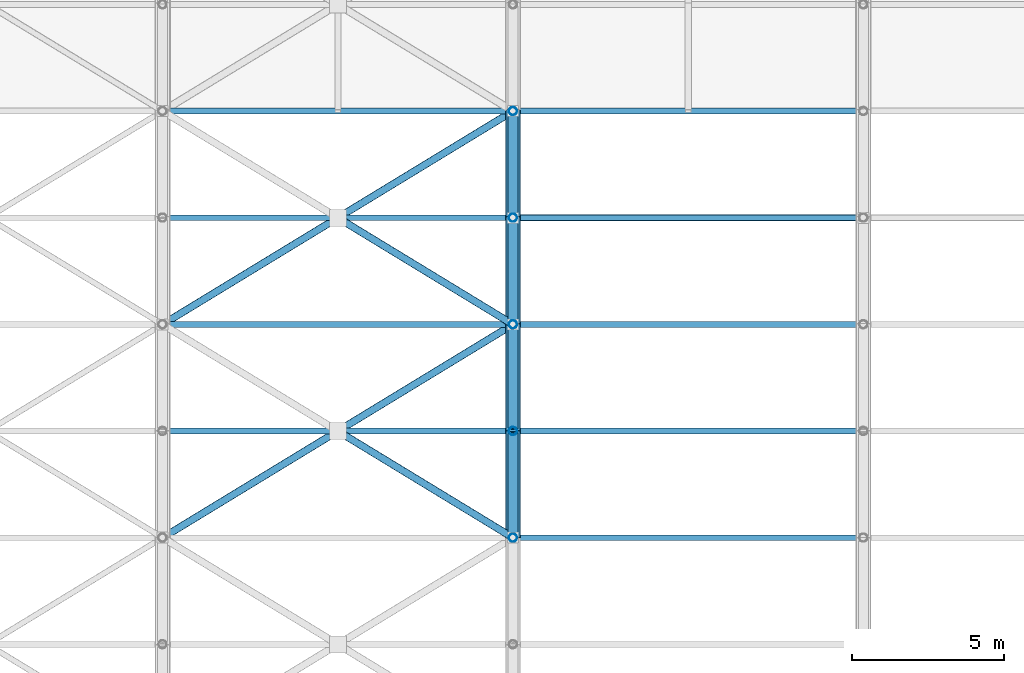
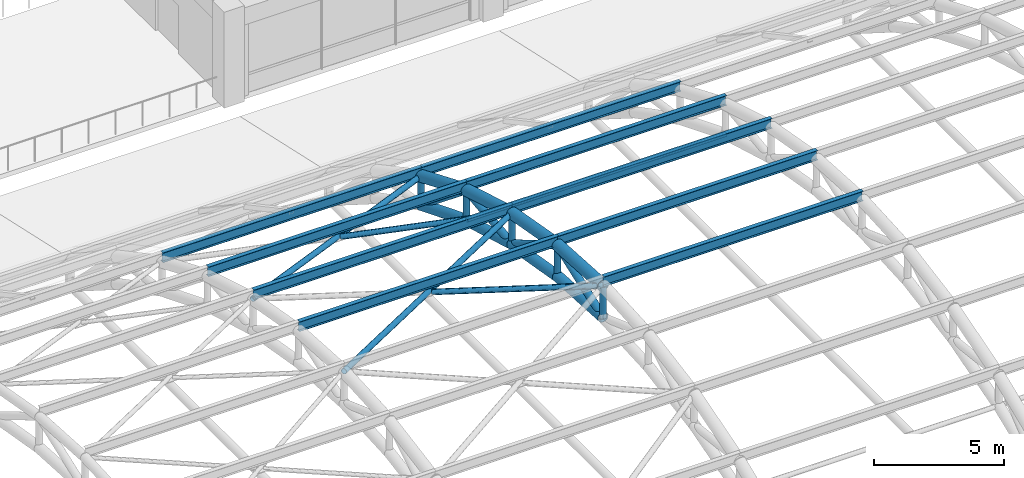
# One storey, part 18 of 154: 31 members.
"""IFC4 building model written with IfcOpenShell, lengths in metres."""

from ifc_helpers import new_model, si_unit, direction, frame, origin, origin_2d, place, context, subcontext, project, spatial, hollow_circle, i_section, extrude, material, material_profile, profile_set, type_object, element, save


model = new_model("IFC4")

# Units and contexts
model_context = context("Model", 3, precision=1e-05, world=origin(), true_north=direction((0.0, 1.0)))
body_context = subcontext(model_context, "Body", "Model", "MODEL_VIEW")
ifc_project = project(units=[si_unit("LENGTHUNIT", "METRE"), si_unit("AREAUNIT", "SQUARE_METRE"), si_unit("VOLUMEUNIT", "CUBIC_METRE"), si_unit("PLANEANGLEUNIT", "RADIAN"), si_unit("MASSUNIT", "GRAM", prefix="KILO")], contexts=[model_context])

# Site, building, storey
site_placement = place(None, origin())
site = spatial("IfcSite", under=ifc_project, at=site_placement, CompositionType="ELEMENT")
building_placement = place(site_placement, origin())
building = spatial("IfcBuilding", under=site, at=building_placement, Name="Ologun Quay Terminus", CompositionType="ELEMENT")
storey_placement = place(building_placement, frame((0.0, 0.0, 13.800048828125)))
storey = spatial("IfcBuildingStorey", under=building, at=storey_placement, Name="L03", CompositionType="ELEMENT", Elevation=13.800048828125)

# Members
ifc_material_1 = material(Name="Steel S355", Category="steel")
ifc_material_profile_1 = material_profile(ifc_material_1, hollow_circle(Radius=0.136474609375, WallThickness=0.010009765625, at=origin_2d()), Name="CHS 273x10")
ifc_profile_set_1 = profile_set([ifc_material_profile_1], Name="Steel S355")
member_type_1 = type_object("IfcMemberType", Name="Arch Truss Vertical Post CHS273", PredefinedType="STRUT", material=ifc_profile_set_1)
member_1_placement = place(storey_placement, frame((23.0, 57.0, 7.239990234375), z_axis=(0.0, 0.0, 1.0), x_axis=(1.0, 0.0, 0.0)))
element("IfcMember", 1, at=member_1_placement, inside=storey, type_object=member_type_1, Name="AW2 Arch Web Post 3-N6", PredefinedType="STRUT", context=body_context, shape_type="SweptSolid", body=[
    extrude(hollow_circle(Radius=0.136474609375, WallThickness=0.010009765625, at=origin_2d()), origin(), (0.0, 0.0, 1.0), 1.47998046875),
])
member_2_placement = place(storey_placement, frame((23.0, 60.5, 7.038818359375), z_axis=(0.0, 0.0, 1.0), x_axis=(1.0, 0.0, 0.0)))
element("IfcMember", 2, at=member_2_placement, inside=storey, type_object=member_type_1, Name="AW2 Arch Web Post 3-N7", PredefinedType="STRUT", context=body_context, shape_type="SweptSolid", body=[
    extrude(hollow_circle(Radius=0.136474609375, WallThickness=0.010009765625, at=origin_2d()), origin(), (0.0, 0.0, 1.0), 1.47216796875),
])
member_3_placement = place(storey_placement, frame((23.0, 64.0, 6.435546875), z_axis=(0.0, 0.0, 1.0), x_axis=(1.0, 0.0, 0.0)))
element("IfcMember", 3, at=member_3_placement, inside=storey, type_object=member_type_1, Name="AW2 Arch Web Post 3-N8", PredefinedType="STRUT", context=body_context, shape_type="SweptSolid", body=[
    extrude(hollow_circle(Radius=0.136474609375, WallThickness=0.010009765625, at=origin_2d()), origin(), (0.0, 0.0, 1.0), 1.44873046875),
])
member_4_placement = place(storey_placement, frame((23.0, 67.5, 5.429931640625), z_axis=(0.0, 0.0, 1.0), x_axis=(1.0, 0.0, 0.0)))
element("IfcMember", 4, at=member_4_placement, inside=storey, type_object=member_type_1, Name="AW2 Arch Web Post 3-N9", PredefinedType="STRUT", context=body_context, shape_type="SweptSolid", body=[
    extrude(hollow_circle(Radius=0.136474609375, WallThickness=0.010009765625, at=origin_2d()), origin(), (0.0, 0.0, 1.0), 1.409912109375),
])
member_5_placement = place(storey_placement, frame((23.0, 71.0, 4.022216796875), z_axis=(0.0, 0.0, 1.0), x_axis=(1.0, 0.0, 0.0)))
element("IfcMember", 5, at=member_5_placement, inside=storey, type_object=member_type_1, Name="AW2 Arch Web Post 3-N10", PredefinedType="STRUT", context=body_context, shape_type="SweptSolid", body=[
    extrude(hollow_circle(Radius=0.136474609375, WallThickness=0.010009765625, at=origin_2d()), origin(), (0.0, 0.0, 1.0), 1.35546875),
])
ifc_material_2 = material(Name="Steel S355", Category="steel")
ifc_material_profile_2 = material_profile(ifc_material_2, hollow_circle(Radius=0.161865234375, WallThickness=0.010009765625, at=origin_2d()), Name="CHS 323.9x10")
ifc_profile_set_2 = profile_set([ifc_material_profile_2], Name="Steel S355")
member_type_2 = type_object("IfcMemberType", Name="Arch Truss Web Diagonal CHS323", PredefinedType="BRACE", material=ifc_profile_set_2)
member_6_placement = place(storey_placement, frame((23.0, 57.0, 7.239990234375), z_axis=(0.0, 0.939942650142, 0.34133241048), x_axis=(-1.0, 0.0, 0.0)))
element("IfcMember", 6, at=member_6_placement, inside=storey, type_object=member_type_2, Name="AW1 Arch Web Diagonal 3-P7", PredefinedType="BRACE", context=body_context, shape_type="SweptSolid", body=[
    extrude(hollow_circle(Radius=0.161865234375, WallThickness=0.010009765625, at=origin_2d()), origin(), (0.0, 0.0, 1.0), 3.7236328125),
])
member_7_placement = place(storey_placement, frame((23.0, 60.5, 8.510986328125), z_axis=(0.0, 0.860144332958, -0.510050709715), x_axis=(-1.0, 0.0, 0.0)))
element("IfcMember", 7, at=member_7_placement, inside=storey, type_object=member_type_2, Name="AW1 Arch Web Diagonal 3-P8", PredefinedType="BRACE", context=body_context, shape_type="SweptSolid", body=[
    extrude(hollow_circle(Radius=0.161865234375, WallThickness=0.010009765625, at=origin_2d()), origin(), (0.0, 0.0, 1.0), 4.069091796875),
])
member_8_placement = place(storey_placement, frame((23.0, 64.0, 6.435546875), z_axis=(0.0, 0.993394361, 0.114750353084), x_axis=(-1.0, 0.0, 0.0)))
element("IfcMember", 8, at=member_8_placement, inside=storey, type_object=member_type_2, Name="AW1 Arch Web Diagonal 3-P9", PredefinedType="BRACE", context=body_context, shape_type="SweptSolid", body=[
    extrude(hollow_circle(Radius=0.161865234375, WallThickness=0.010009765625, at=origin_2d()), origin(), (0.0, 0.0, 1.0), 3.523193359375),
])
member_9_placement = place(storey_placement, frame((23.0, 67.5, 6.83984375), z_axis=(0.0, 0.77895148125, -0.627084196785), x_axis=(-1.0, 0.0, 0.0)))
element("IfcMember", 9, at=member_9_placement, inside=storey, type_object=member_type_2, Name="AW1 Arch Web Diagonal 3-P10", PredefinedType="BRACE", context=body_context, shape_type="SweptSolid", body=[
    extrude(hollow_circle(Radius=0.161865234375, WallThickness=0.010009765625, at=origin_2d()), origin(), (0.0, 0.0, 1.0), 4.4931640625),
])
ifc_material_3 = material(Name="Steel S355", Category="steel")
ifc_material_profile_3 = material_profile(ifc_material_3, hollow_circle(Radius=0.228515625, WallThickness=0.01611328125, at=origin_2d()), Name="CHS 457x16")
ifc_profile_set_3 = profile_set([ifc_material_profile_3], Name="Steel S355")
member_type_3 = type_object("IfcMemberType", Name="Parabolic Arch Bottom Chord CHS457", PredefinedType="CHORD", material=ifc_profile_set_3)
member_10_placement = place(storey_placement, frame((23.0, 57.0, 7.239990234375), z_axis=(0.0, 0.998352239869, -0.057382969144), x_axis=(-1.0, 0.0, 0.0)))
element("IfcMember", 10, at=member_10_placement, inside=storey, type_object=member_type_3, Name="AC2 Arch Bottom Chord 3-P7", PredefinedType="CHORD", context=body_context, shape_type="SweptSolid", body=[
    extrude(hollow_circle(Radius=0.228515625, WallThickness=0.01611328125, at=origin_2d()), origin(), (0.0, 0.0, 1.0), 3.505859375),
])
member_11_placement = place(storey_placement, frame((23.0, 60.5, 7.038818359375), z_axis=(0.0, 0.985468449185, -0.16985857547), x_axis=(-1.0, 0.0, 0.0)))
element("IfcMember", 11, at=member_11_placement, inside=storey, type_object=member_type_3, Name="AC2 Arch Bottom Chord 3-P8", PredefinedType="CHORD", context=body_context, shape_type="SweptSolid", body=[
    extrude(hollow_circle(Radius=0.228515625, WallThickness=0.01611328125, at=origin_2d()), origin(), (0.0, 0.0, 1.0), 3.551513671875),
])
member_12_placement = place(storey_placement, frame((23.0, 64.0, 6.435546875), z_axis=(0.0, 0.961115578425, -0.276146419331), x_axis=(-1.0, 0.0, 0.0)))
element("IfcMember", 12, at=member_12_placement, inside=storey, type_object=member_type_3, Name="AC2 Arch Bottom Chord 3-P9", PredefinedType="CHORD", context=body_context, shape_type="SweptSolid", body=[
    extrude(hollow_circle(Radius=0.228515625, WallThickness=0.01611328125, at=origin_2d()), origin(), (0.0, 0.0, 1.0), 3.6416015625),
])
member_13_placement = place(storey_placement, frame((23.0, 67.5, 5.429931640625), z_axis=(0.0, 0.92776983497, -0.373152962363), x_axis=(-1.0, 0.0, 0.0)))
element("IfcMember", 13, at=member_13_placement, inside=storey, type_object=member_type_3, Name="AC2 Arch Bottom Chord 3-P10", PredefinedType="CHORD", context=body_context, shape_type="SweptSolid", body=[
    extrude(hollow_circle(Radius=0.228515625, WallThickness=0.01611328125, at=origin_2d()), origin(), (0.0, 0.0, 1.0), 3.7724609375),
])
ifc_material_4 = material(Name="Steel S355", Category="steel")
ifc_material_profile_4 = material_profile(ifc_material_4, hollow_circle(Radius=0.25390625, WallThickness=0.01611328125, at=origin_2d()), Name="CHS 508x16")
ifc_profile_set_4 = profile_set([ifc_material_profile_4], Name="Steel S355")
member_type_4 = type_object("IfcMemberType", Name="Parabolic Arch Top Chord CHS508", PredefinedType="CHORD", material=ifc_profile_set_4)
member_14_placement = place(storey_placement, frame((23.0, 57.0, 8.719970703125), z_axis=(0.0, 0.998222121157, -0.0596036646), x_axis=(-1.0, 0.0, 0.0)))
element("IfcMember", 14, at=member_14_placement, inside=storey, type_object=member_type_4, Name="Arch Top Chord 3-P7", PredefinedType="CHORD", context=body_context, shape_type="SweptSolid", body=[
    extrude(hollow_circle(Radius=0.25390625, WallThickness=0.01611328125, at=origin_2d()), origin(), (0.0, 0.0, 1.0), 3.50634765625),
])
member_15_placement = place(storey_placement, frame((23.0, 60.5, 8.510986328125), z_axis=(0.0, 0.984344289591, -0.176256402859), x_axis=(-1.0, 0.0, 0.0)))
element("IfcMember", 15, at=member_15_placement, inside=storey, type_object=member_type_4, Name="Arch Top Chord 3-P8", PredefinedType="CHORD", context=body_context, shape_type="SweptSolid", body=[
    extrude(hollow_circle(Radius=0.25390625, WallThickness=0.01611328125, at=origin_2d()), origin(), (0.0, 0.0, 1.0), 3.5556640625),
])
member_16_placement = place(storey_placement, frame((23.0, 64.0, 7.88427734375), z_axis=(0.0, 0.958244712677, -0.285949419701), x_axis=(-1.0, 0.0, 0.0)))
element("IfcMember", 16, at=member_16_placement, inside=storey, type_object=member_type_4, Name="Arch Top Chord 3-P9", PredefinedType="CHORD", context=body_context, shape_type="SweptSolid", body=[
    extrude(hollow_circle(Radius=0.25390625, WallThickness=0.01611328125, at=origin_2d()), origin(), (0.0, 0.0, 1.0), 3.652587890625),
])
member_17_placement = place(storey_placement, frame((23.0, 67.5, 6.83984375), z_axis=(0.0, 0.922718523726, -0.385474416755), x_axis=(-1.0, 0.0, 0.0)))
element("IfcMember", 17, at=member_17_placement, inside=storey, type_object=member_type_4, Name="Arch Top Chord 3-P10", PredefinedType="CHORD", context=body_context, shape_type="SweptSolid", body=[
    extrude(hollow_circle(Radius=0.25390625, WallThickness=0.01611328125, at=origin_2d()), origin(), (0.0, 0.0, 1.0), 3.793212890625),
])
ifc_material_5 = material(Name="Steel S355", Category="steel")
ifc_material_profile_5 = material_profile(ifc_material_5, hollow_circle(Radius=0.109619140625, WallThickness=0.008056640625, at=origin_2d()), Name="CHS 219.1x8")
ifc_profile_set_5 = profile_set([ifc_material_profile_5], Name="Steel S355")
member_type_5 = type_object("IfcMemberType", Name="Roof Plan Wind Brace Collector CHS219", PredefinedType="STRUT", material=ifc_profile_set_5)
member_18_placement = place(storey_placement, frame((23.0, 67.5, 5.429931640625), z_axis=(1.0, 0.0, 0.0), x_axis=(0.0, 1.0, 0.0)))
element("IfcMember", 18, at=member_18_placement, inside=storey, type_object=member_type_5, Name="WB2 Collector Strut B3-K9", PredefinedType="STRUT", context=body_context, shape_type="SweptSolid", body=[
    extrude(hollow_circle(Radius=0.109619140625, WallThickness=0.008056640625, at=origin_2d()), origin(), (0.0, 0.0, 1.0), 11.5),
])
ifc_material_6 = material(Name="Steel S355", Category="steel")
ifc_material_profile_6 = material_profile(ifc_material_6, hollow_circle(Radius=0.122314453125, WallThickness=0.008056640625, at=origin_2d()), Name="CHS 244.5x8")
ifc_profile_set_6 = profile_set([ifc_material_profile_6], Name="Steel S355")
member_type_6 = type_object("IfcMemberType", Name="Roof Plan Wind Brace Primary CHS244", PredefinedType="BRACE", material=ifc_profile_set_6)
member_19_placement = place(storey_placement, frame((11.5, 57.0, 8.719970703125), z_axis=(0.852557618704, 0.518948115733, -0.061954499168), x_axis=(-0.519946946896, 0.854198555614, 0.0)))
element("IfcMember", 19, at=member_19_placement, inside=storey, type_object=member_type_6, Name="Roof Wind Brace A B2-K6", PredefinedType="BRACE", context=body_context, shape_type="SweptSolid", body=[
    extrude(hollow_circle(Radius=0.122314453125, WallThickness=0.008056640625, at=origin_2d()), origin(), (0.0, 0.0, 1.0), 13.48876953125),
])
member_20_placement = place(storey_placement, frame((17.369384765625, 60.42724609375, 8.310791015625), z_axis=(0.852563238847, -0.518938678703, 0.061956206405), x_axis=(0.51993754691, 0.854204277274, 0.0)))
element("IfcMember", 20, at=member_20_placement, inside=storey, type_object=member_type_6, Name="Roof Wind Brace B2 B2-K6", PredefinedType="BRACE", context=body_context, shape_type="SweptSolid", body=[
    extrude(hollow_circle(Radius=0.122314453125, WallThickness=0.008056640625, at=origin_2d()), origin(), (0.0, 0.0, 1.0), 6.604248046875),
])
member_21_placement = place(storey_placement, frame((11.5, 64.0, 7.88427734375), z_axis=(0.83976735311, 0.511162736676, -0.18303947466), x_axis=(-0.519946946896, 0.854198555614, 0.0)))
element("IfcMember", 21, at=member_21_placement, inside=storey, type_object=member_type_6, Name="Roof Wind Brace A B2-K8", PredefinedType="BRACE", context=body_context, shape_type="SweptSolid", body=[
    extrude(hollow_circle(Radius=0.122314453125, WallThickness=0.008056640625, at=origin_2d()), origin(), (0.0, 0.0, 1.0), 13.6943359375),
])
member_22_placement = place(storey_placement, frame((17.36767578125, 67.428466796875, 6.65673828125), z_axis=(0.839763706767, -0.511174760907, 0.183022623217), x_axis=(0.519957518446, 0.854192120668, 0.0)))
element("IfcMember", 22, at=member_22_placement, inside=storey, type_object=member_type_6, Name="Roof Wind Brace B2 B2-K8", PredefinedType="BRACE", context=body_context, shape_type="SweptSolid", body=[
    extrude(hollow_circle(Radius=0.122314453125, WallThickness=0.008056640625, at=origin_2d()), origin(), (0.0, 0.0, 1.0), 6.70703125),
])
ifc_material_7 = material(Name="Steel S355", Category="steel")
ifc_material_profile_7 = material_profile(ifc_material_7, i_section(OverallWidth=0.1904296875, OverallDepth=0.45703125, WebThickness=0.009033203125, FlangeThickness=0.014404296875, at=origin_2d()), Name="UKB 457x191x74")
ifc_profile_set_7 = profile_set([ifc_material_profile_7], Name="Steel S355")
member_type_7 = type_object("IfcMemberType", Name="Train Shed Primary Roof Purlin UKB457", PredefinedType="PURLIN", material=ifc_profile_set_7)
for number, where, z_axis, x_axis, name in (
    (23, (11.5, 60.5, 8.739501953125), (1.0, 0.0, 0.0), (0.0, 1.0, 0.0), "PR1 Roof Purlin B2-N7"),
    (24, (11.5, 64.0, 8.11279296875), (1.0, 0.0, 0.0), (0.0, 1.0, 0.0), "PR1 Roof Purlin B2-N8"),
    (25, (11.5, 67.5, 7.068359375), (1.0, 0.0, 0.0), (0.0, 1.0, 0.0), "PR1 Roof Purlin B2-N9"),
    (26, (11.5, 71.0, 5.606201171875), (1.0, 0.0, 0.0), (0.0, 1.0, 0.0), "PR1 Roof Purlin B2-N10"),
    (27, (23.0, 57.0, 8.948486328125), (1.0, 0.0, 0.0), (0.0, 1.0, 0.0), "PR1 Roof Purlin B3-N6"),
    (28, (23.0, 60.5, 8.739501953125), (1.0, 0.0, 0.0), (0.0, 1.0, 0.0), "PR1 Roof Purlin B3-N7"),
    (29, (23.0, 64.0, 8.11279296875), (1.0, 0.0, 0.0), (0.0, 1.0, 0.0), "PR1 Roof Purlin B3-N8"),
    (30, (23.0, 67.5, 7.068359375), (1.0, 0.0, 0.0), (0.0, 1.0, 0.0), "PR1 Roof Purlin B3-N9"),
    (31, (23.0, 71.0, 5.606201171875), (1.0, 0.0, 0.0), (0.0, 1.0, 0.0), "PR1 Roof Purlin B3-N10"),
):
    element("IfcMember", number, at=place(storey_placement, frame(where, z_axis=z_axis, x_axis=x_axis)), inside=storey, type_object=member_type_7, Name=name, PredefinedType="PURLIN", context=body_context, shape_type="SweptSolid", body=[
        extrude(i_section(OverallWidth=0.1904296875, OverallDepth=0.45703125, WebThickness=0.009033203125, FlangeThickness=0.014404296875, at=origin_2d()), origin(), (0.0, 0.0, 1.0), 11.5),
    ])

save(model, "model.ifc")
